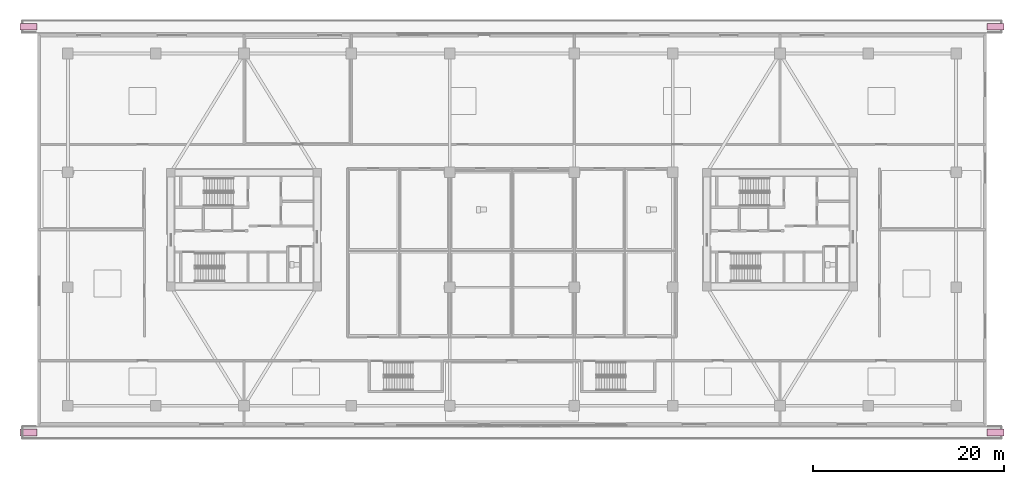
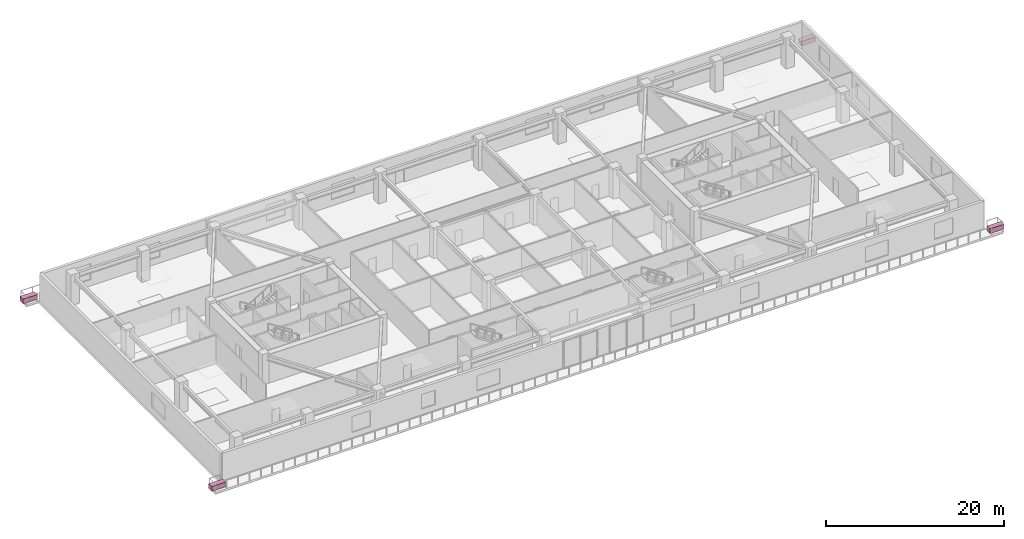
# One storey, part 22 of 22: 4 furnishings.
"""IFC4 building model written with IfcOpenShell, lengths in metres."""

from ifc_helpers import new_model, si_unit, direction, frame, origin, origin_2d, place, context, subcontext, project, spatial, rectangle, extrude, source, transform, mapped, material, type_object, type_shapes, element, save


model = new_model("IFC4")

# Units and contexts
model_context = context("Model", 3, precision=1e-05, world=origin(), true_north=direction((0.0, 1.0)))
body_context = subcontext(model_context, "Body", "Model", "MODEL_VIEW")
ifc_project = project(units=[si_unit("LENGTHUNIT", "METRE"), si_unit("AREAUNIT", "SQUARE_METRE"), si_unit("VOLUMEUNIT", "CUBIC_METRE"), si_unit("PLANEANGLEUNIT", "RADIAN"), si_unit("MASSUNIT", "GRAM", prefix="KILO")], contexts=[model_context])

# Site, building, storey
site_placement = place(None, origin())
site = spatial("IfcSite", under=ifc_project, at=site_placement, CompositionType="ELEMENT")
building_placement = place(site_placement, origin())
building = spatial("IfcBuilding", under=site, at=building_placement, Name="Norrkilde Senior Care Towers", CompositionType="ELEMENT")
storey_placement = place(building_placement, frame((0.0, 0.0, 12.60009765625)))
storey = spatial("IfcBuildingStorey", under=building, at=storey_placement, Name="L03", CompositionType="ELEMENT", Elevation=12.60009765625)

# Furnishings
ifc_material = material(Name="Architectural Terracotta", Category="masonry")
furnishing_element_type = type_object("IfcFurnishingElementType", Name="Nordic Terrace Planter Bed PLANTER", material=ifc_material)
shared_shape = source(origin(), body_context, "Body", "SweptSolid", [
    extrude(rectangle(XDim=1.800048828125, YDim=0.699951171875, at=origin_2d()), origin(), (0.0, 0.0, 1.0), 0.64990234375),
])
type_shapes(furnishing_element_type, [shared_shape])
for number, where, z_axis, x_axis, name in (
    (1, (50.505126953125, 21.201416015625, 0.0), (0.0, 0.0, 1.0), (1.0, 0.0, 0.0), "L03 Nordic Planted Terrace Bed 09"),
    (2, (50.505126953125, -21.201416015625, 0.0), (0.0, 0.0, 1.0), (1.0, 0.0, 0.0), "L03 Nordic Planted Terrace Bed 10"),
    (3, (-50.505126953125, -21.201416015625, 0.0), (0.0, 0.0, 1.0), (1.0, 0.0, 0.0), "L03 Nordic Planted Terrace Bed 11"),
    (4, (-50.505126953125, 21.201416015625, 0.0), (0.0, 0.0, 1.0), (1.0, 0.0, 0.0), "L03 Nordic Planted Terrace Bed 12"),
):
    element("IfcFurnishingElement", number, at=place(storey_placement, frame(where, z_axis=z_axis, x_axis=x_axis)), inside=storey, type_object=furnishing_element_type, Name=name, context=body_context, shape_type="MappedRepresentation", body=[
        mapped(shared_shape, transform((0.0, 0.0, 0.0), x_axis=(1.0, 0.0, 0.0), y_axis=(0.0, 1.0, 0.0), z_axis=(0.0, 0.0, 1.0), scale=1.0)),
    ])

save(model, "model.ifc")
